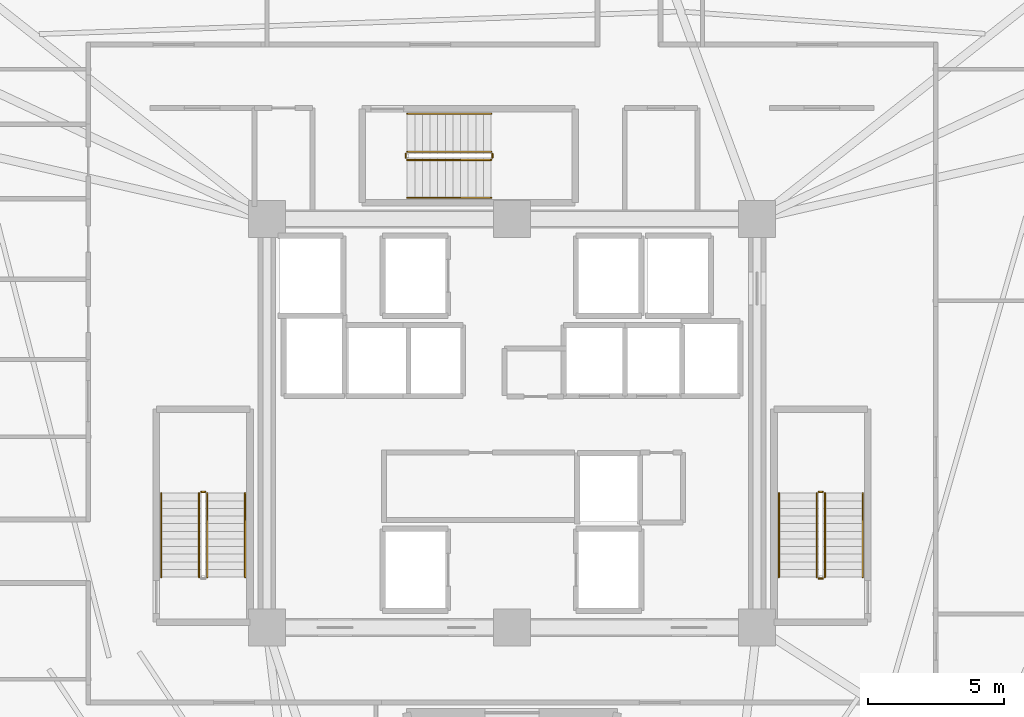
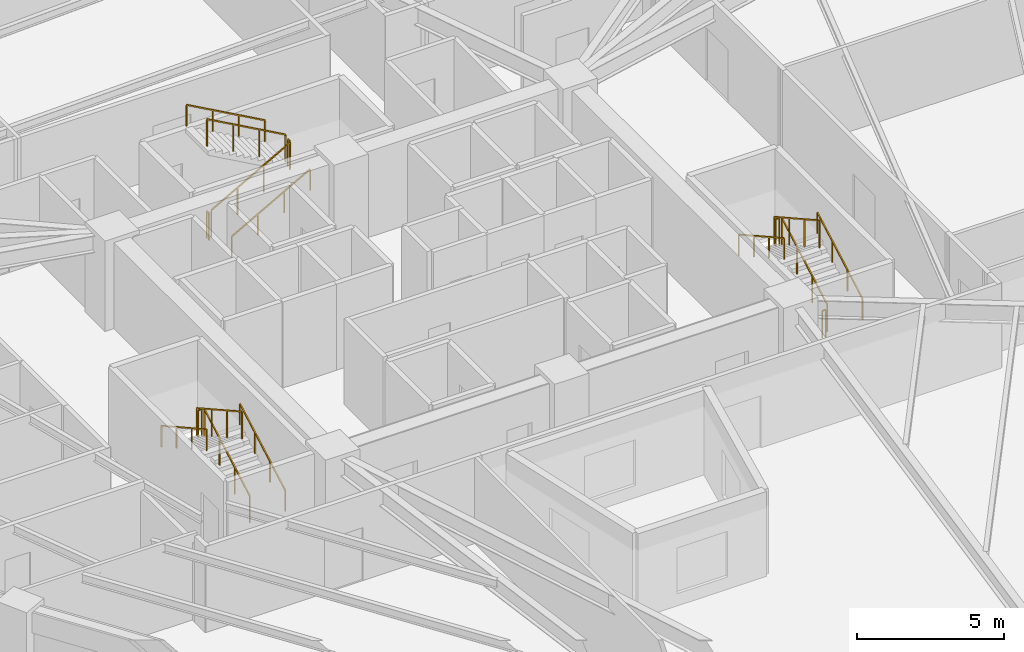
# One storey, part 10 of 10: 17 railings.
"""IFC4 building model written with IfcOpenShell, lengths in metres."""

from ifc_helpers import new_model, si_unit, direction, frame, origin, origin_2d, place, context, subcontext, project, spatial, rectangle, extrude, material, type_object, element, save


model = new_model("IFC4")

# Units and contexts
model_context = context("Model", 3, precision=1e-05, world=origin(), true_north=direction((0.0, 1.0)))
body_context = subcontext(model_context, "Body", "Model", "MODEL_VIEW")
ifc_project = project(units=[si_unit("LENGTHUNIT", "METRE"), si_unit("AREAUNIT", "SQUARE_METRE"), si_unit("VOLUMEUNIT", "CUBIC_METRE"), si_unit("PLANEANGLEUNIT", "RADIAN"), si_unit("MASSUNIT", "GRAM", prefix="KILO")], contexts=[model_context])

# Site, building, storey
site_placement = place(None, origin())
site = spatial("IfcSite", under=ifc_project, at=site_placement, CompositionType="ELEMENT")
building_placement = place(site_placement, origin())
building = spatial("IfcBuilding", under=site, at=building_placement, Name="Liaohun Quay Tower", CompositionType="ELEMENT")
storey_placement = place(building_placement, frame((0.0, 0.0, 194.25)))
storey = spatial("IfcBuildingStorey", under=building, at=storey_placement, Name="L50", CompositionType="ELEMENT", Elevation=194.25)

# Railings
ifc_material_1 = material(Name="Painted tubular steel", Category="steel")
railing_type_1 = type_object("IfcRailingType", Name="RLG-GUARD-STR", PredefinedType="GUARDRAIL", material=ifc_material_1)
railing_1_placement = place(storey_placement, frame((48.81005859375, 48.35009765625, 0.15625)))
element("IfcRailing", 1, at=railing_1_placement, inside=storey, type_object=railing_type_1, Name="L50 ST-1 stair guard 1", PredefinedType="GUARDRAIL", context=body_context, shape_type="SweptSolid", body=[
    extrude(rectangle(XDim=0.048095703125, YDim=0.048095703125, at=origin_2d()), frame((0.0, 0.0, 1.1259765625), z_axis=(0.0, 0.873225103656, 0.487317061414), x_axis=(-1.0, 0.0, 0.0)), (0.0, 0.0, 1.0), 3.52685546875),
    extrude(rectangle(XDim=0.0419921875, YDim=0.0419921875, at=origin_2d()), origin(), (0.0, 0.0, 1.0), 1.101806640625),
    extrude(rectangle(XDim=0.0419921875, YDim=0.0419921875, at=origin_2d()), frame((0.0, 1.026611328125, 0.572998046875)), (0.0, 0.0, 1.0), 1.101806640625),
    extrude(rectangle(XDim=0.0419921875, YDim=0.0419921875, at=origin_2d()), frame((0.0, 2.05322265625, 1.145751953125)), (0.0, 0.0, 1.0), 1.101806640625),
    extrude(rectangle(XDim=0.0419921875, YDim=0.0419921875, at=origin_2d()), frame((0.0, 3.079833984375, 1.71875)), (0.0, 0.0, 1.0), 1.101806640625),
])
railing_2_placement = place(storey_placement, frame((48.72998046875, 51.47998046875, 1.875)))
element("IfcRailing", 2, at=railing_2_placement, inside=storey, type_object=railing_type_1, Name="L50 ST-1 stair guard 2", PredefinedType="GUARDRAIL", context=body_context, shape_type="SweptSolid", body=[
    extrude(rectangle(XDim=0.048095703125, YDim=0.048095703125, at=origin_2d()), frame((0.0, 0.0, 1.1259765625), z_axis=(-1.0, 0.0, 0.0), x_axis=(0.0, -1.0, 0.0)), (0.0, 0.0, 1.0), 0.139892578125),
    extrude(rectangle(XDim=0.0419921875, YDim=0.0419921875, at=origin_2d()), origin(), (0.0, 0.0, 1.0), 1.101806640625),
    extrude(rectangle(XDim=0.0419921875, YDim=0.0419921875, at=origin_2d()), frame((-0.139892578125, 0.0, 0.0)), (0.0, 0.0, 1.0), 1.101806640625),
])
railing_3_placement = place(storey_placement, frame((48.510009765625, 51.429931640625, 2.03125)))
element("IfcRailing", 3, at=railing_3_placement, inside=storey, type_object=railing_type_1, Name="L50 ST-1 stair guard 3", PredefinedType="GUARDRAIL", context=body_context, shape_type="SweptSolid", body=[
    extrude(rectangle(XDim=0.048095703125, YDim=0.048095703125, at=origin_2d()), frame((0.0, 0.0, 1.1259765625), z_axis=(0.0, -0.873225103656, 0.487317061414), x_axis=(1.0, 0.0, 0.0)), (0.0, 0.0, 1.0), 3.52685546875),
    extrude(rectangle(XDim=0.0419921875, YDim=0.0419921875, at=origin_2d()), origin(), (0.0, 0.0, 1.0), 1.101806640625),
    extrude(rectangle(XDim=0.0419921875, YDim=0.0419921875, at=origin_2d()), frame((0.0, -1.026611328125, 0.572998046875)), (0.0, 0.0, 1.0), 1.101806640625),
    extrude(rectangle(XDim=0.0419921875, YDim=0.0419921875, at=origin_2d()), frame((0.0, -2.05322265625, 1.145751953125)), (0.0, 0.0, 1.0), 1.101806640625),
    extrude(rectangle(XDim=0.0419921875, YDim=0.0419921875, at=origin_2d()), frame((0.0, -3.079833984375, 1.71875)), (0.0, 0.0, 1.0), 1.101806640625),
])
railing_4_placement = place(storey_placement, frame((71.489990234375, 48.35009765625, 0.15625)))
element("IfcRailing", 4, at=railing_4_placement, inside=storey, type_object=railing_type_1, Name="L50 ST-2 stair guard 1", PredefinedType="GUARDRAIL", context=body_context, shape_type="SweptSolid", body=[
    extrude(rectangle(XDim=0.048095703125, YDim=0.048095703125, at=origin_2d()), frame((0.0, 0.0, 1.1259765625), z_axis=(0.0, 0.873225103656, 0.487317061414), x_axis=(-1.0, 0.0, 0.0)), (0.0, 0.0, 1.0), 3.52685546875),
    extrude(rectangle(XDim=0.0419921875, YDim=0.0419921875, at=origin_2d()), origin(), (0.0, 0.0, 1.0), 1.101806640625),
    extrude(rectangle(XDim=0.0419921875, YDim=0.0419921875, at=origin_2d()), frame((0.0, 1.026611328125, 0.572998046875)), (0.0, 0.0, 1.0), 1.101806640625),
    extrude(rectangle(XDim=0.0419921875, YDim=0.0419921875, at=origin_2d()), frame((0.0, 2.05322265625, 1.145751953125)), (0.0, 0.0, 1.0), 1.101806640625),
    extrude(rectangle(XDim=0.0419921875, YDim=0.0419921875, at=origin_2d()), frame((0.0, 3.079833984375, 1.71875)), (0.0, 0.0, 1.0), 1.101806640625),
])
railing_5_placement = place(storey_placement, frame((71.409912109375, 51.47998046875, 1.875)))
element("IfcRailing", 5, at=railing_5_placement, inside=storey, type_object=railing_type_1, Name="L50 ST-2 stair guard 2", PredefinedType="GUARDRAIL", context=body_context, shape_type="SweptSolid", body=[
    extrude(rectangle(XDim=0.048095703125, YDim=0.048095703125, at=origin_2d()), frame((0.0, 0.0, 1.1259765625), z_axis=(-1.0, 0.0, 0.0), x_axis=(0.0, -1.0, 0.0)), (0.0, 0.0, 1.0), 0.139892578125),
    extrude(rectangle(XDim=0.0419921875, YDim=0.0419921875, at=origin_2d()), origin(), (0.0, 0.0, 1.0), 1.101806640625),
    extrude(rectangle(XDim=0.0419921875, YDim=0.0419921875, at=origin_2d()), frame((-0.139892578125, 0.0, 0.0)), (0.0, 0.0, 1.0), 1.101806640625),
])
railing_6_placement = place(storey_placement, frame((71.18994140625, 51.429931640625, 2.03125)))
element("IfcRailing", 6, at=railing_6_placement, inside=storey, type_object=railing_type_1, Name="L50 ST-2 stair guard 3", PredefinedType="GUARDRAIL", context=body_context, shape_type="SweptSolid", body=[
    extrude(rectangle(XDim=0.048095703125, YDim=0.048095703125, at=origin_2d()), frame((0.0, 0.0, 1.1259765625), z_axis=(0.0, -0.873225103656, 0.487317061414), x_axis=(1.0, 0.0, 0.0)), (0.0, 0.0, 1.0), 3.52685546875),
    extrude(rectangle(XDim=0.0419921875, YDim=0.0419921875, at=origin_2d()), origin(), (0.0, 0.0, 1.0), 1.101806640625),
    extrude(rectangle(XDim=0.0419921875, YDim=0.0419921875, at=origin_2d()), frame((0.0, -1.026611328125, 0.572998046875)), (0.0, 0.0, 1.0), 1.101806640625),
    extrude(rectangle(XDim=0.0419921875, YDim=0.0419921875, at=origin_2d()), frame((0.0, -2.05322265625, 1.145751953125)), (0.0, 0.0, 1.0), 1.101806640625),
    extrude(rectangle(XDim=0.0419921875, YDim=0.0419921875, at=origin_2d()), frame((0.0, -3.079833984375, 1.71875)), (0.0, 0.0, 1.0), 1.101806640625),
])
railing_7_placement = place(storey_placement, frame((71.409912109375, 48.300048828125, 0.0)))
element("IfcRailing", 7, at=railing_7_placement, inside=storey, type_object=railing_type_1, Name="L50 ST-2 stair guard 4", PredefinedType="GUARDRAIL", context=body_context, shape_type="SweptSolid", body=[
    extrude(rectangle(XDim=0.048095703125, YDim=0.048095703125, at=origin_2d()), frame((0.0, 0.0, 1.1259765625), z_axis=(-1.0, 0.0, 0.0), x_axis=(0.0, -1.0, 0.0)), (0.0, 0.0, 1.0), 0.139892578125),
    extrude(rectangle(XDim=0.0419921875, YDim=0.0419921875, at=origin_2d()), origin(), (0.0, 0.0, 1.0), 1.101806640625),
    extrude(rectangle(XDim=0.0419921875, YDim=0.0419921875, at=origin_2d()), frame((-0.139892578125, 0.0, 0.0)), (0.0, 0.0, 1.0), 1.101806640625),
])
railing_8_placement = place(storey_placement, frame((56.14990234375, 63.669921875, 0.15625)))
element("IfcRailing", 8, at=railing_8_placement, inside=storey, type_object=railing_type_1, Name="L50 ST-3 stair guard 1", PredefinedType="GUARDRAIL", context=body_context, shape_type="SweptSolid", body=[
    extrude(rectangle(XDim=0.048095703125, YDim=0.048095703125, at=origin_2d()), frame((0.0, 0.0, 1.1259765625), z_axis=(0.873241540666, 0.0, 0.487287606713), x_axis=(0.0, 1.0, 0.0)), (0.0, 0.0, 1.0), 3.527099609375),
    extrude(rectangle(XDim=0.0419921875, YDim=0.0419921875, at=origin_2d()), origin(), (0.0, 0.0, 1.0), 1.101806640625),
    extrude(rectangle(XDim=0.0419921875, YDim=0.0419921875, at=origin_2d()), frame((1.026611328125, 0.0, 0.572998046875)), (0.0, 0.0, 1.0), 1.101806640625),
    extrude(rectangle(XDim=0.0419921875, YDim=0.0419921875, at=origin_2d()), frame((2.053466796875, 0.0, 1.145751953125)), (0.0, 0.0, 1.0), 1.101806640625),
    extrude(rectangle(XDim=0.0419921875, YDim=0.0419921875, at=origin_2d()), frame((3.080078125, 0.0, 1.71875)), (0.0, 0.0, 1.0), 1.101806640625),
])
railing_9_placement = place(storey_placement, frame((59.280029296875, 63.75, 1.875)))
element("IfcRailing", 9, at=railing_9_placement, inside=storey, type_object=railing_type_1, Name="L50 ST-3 stair guard 2", PredefinedType="GUARDRAIL", context=body_context, shape_type="SweptSolid", body=[
    extrude(rectangle(XDim=0.048095703125, YDim=0.048095703125, at=origin_2d()), frame((0.0, 0.0, 1.1259765625), z_axis=(0.0, 1.0, 0.0), x_axis=(-1.0, 0.0, 0.0)), (0.0, 0.0, 1.0), 0.139892578125),
    extrude(rectangle(XDim=0.0419921875, YDim=0.0419921875, at=origin_2d()), origin(), (0.0, 0.0, 1.0), 1.101806640625),
    extrude(rectangle(XDim=0.0419921875, YDim=0.0419921875, at=origin_2d()), frame((0.0, 0.139892578125, 0.0)), (0.0, 0.0, 1.0), 1.101806640625),
])
railing_10_placement = place(storey_placement, frame((59.22998046875, 63.969970703125, 2.03125)))
element("IfcRailing", 10, at=railing_10_placement, inside=storey, type_object=railing_type_1, Name="L50 ST-3 stair guard 3", PredefinedType="GUARDRAIL", context=body_context, shape_type="SweptSolid", body=[
    extrude(rectangle(XDim=0.048095703125, YDim=0.048095703125, at=origin_2d()), frame((0.0, 0.0, 1.1259765625), z_axis=(-0.873241540666, 0.0, 0.487287606713), x_axis=(0.0, -1.0, 0.0)), (0.0, 0.0, 1.0), 3.527099609375),
    extrude(rectangle(XDim=0.0419921875, YDim=0.0419921875, at=origin_2d()), origin(), (0.0, 0.0, 1.0), 1.101806640625),
    extrude(rectangle(XDim=0.0419921875, YDim=0.0419921875, at=origin_2d()), frame((-1.026611328125, 0.0, 0.572998046875)), (0.0, 0.0, 1.0), 1.101806640625),
    extrude(rectangle(XDim=0.0419921875, YDim=0.0419921875, at=origin_2d()), frame((-2.053466796875, 0.0, 1.145751953125)), (0.0, 0.0, 1.0), 1.101806640625),
    extrude(rectangle(XDim=0.0419921875, YDim=0.0419921875, at=origin_2d()), frame((-3.080078125, 0.0, 1.71875)), (0.0, 0.0, 1.0), 1.101806640625),
])
railing_11_placement = place(storey_placement, frame((56.10009765625, 63.75, 0.0)))
element("IfcRailing", 11, at=railing_11_placement, inside=storey, type_object=railing_type_1, Name="L50 ST-3 stair guard 4", PredefinedType="GUARDRAIL", context=body_context, shape_type="SweptSolid", body=[
    extrude(rectangle(XDim=0.048095703125, YDim=0.048095703125, at=origin_2d()), frame((0.0, 0.0, 1.1259765625), z_axis=(0.0, 1.0, 0.0), x_axis=(-1.0, 0.0, 0.0)), (0.0, 0.0, 1.0), 0.139892578125),
    extrude(rectangle(XDim=0.0419921875, YDim=0.0419921875, at=origin_2d()), origin(), (0.0, 0.0, 1.0), 1.101806640625),
    extrude(rectangle(XDim=0.0419921875, YDim=0.0419921875, at=origin_2d()), frame((0.0, 0.139892578125, 0.0)), (0.0, 0.0, 1.0), 1.101806640625),
])
ifc_material_2 = material(Name="Brushed stainless steel", Category="steel")
railing_type_2 = type_object("IfcRailingType", Name="RLG-HND-STR", PredefinedType="HANDRAIL", material=ifc_material_2)
railing_12_placement = place(storey_placement, frame((50.199951171875, 48.35009765625, 0.15625)))
element("IfcRailing", 12, at=railing_12_placement, inside=storey, type_object=railing_type_2, Name="L50 ST-1 stair handrail 1", PredefinedType="HANDRAIL", context=body_context, shape_type="SweptSolid", body=[
    extrude(rectangle(XDim=0.048095703125, YDim=0.048095703125, at=origin_2d()), frame((0.0, 0.0, 0.8759765625), z_axis=(0.0, 0.873225103656, 0.487317061414), x_axis=(-1.0, 0.0, 0.0)), (0.0, 0.0, 1.0), 3.52685546875),
    extrude(rectangle(XDim=0.0419921875, YDim=0.0419921875, at=origin_2d()), origin(), (0.0, 0.0, 1.0), 0.851806640625),
    extrude(rectangle(XDim=0.0419921875, YDim=0.0419921875, at=origin_2d()), frame((0.0, 1.026611328125, 0.572998046875)), (0.0, 0.0, 1.0), 0.851806640625),
    extrude(rectangle(XDim=0.0419921875, YDim=0.0419921875, at=origin_2d()), frame((0.0, 2.05322265625, 1.145751953125)), (0.0, 0.0, 1.0), 0.851806640625),
    extrude(rectangle(XDim=0.0419921875, YDim=0.0419921875, at=origin_2d()), frame((0.0, 3.079833984375, 1.71875)), (0.0, 0.0, 1.0), 0.851806640625),
])
railing_13_placement = place(storey_placement, frame((47.1201171875, 51.429931640625, 2.03125)))
element("IfcRailing", 13, at=railing_13_placement, inside=storey, type_object=railing_type_2, Name="L50 ST-1 stair handrail 2", PredefinedType="HANDRAIL", context=body_context, shape_type="SweptSolid", body=[
    extrude(rectangle(XDim=0.048095703125, YDim=0.048095703125, at=origin_2d()), frame((0.0, 0.0, 0.8759765625), z_axis=(0.0, -0.873225103656, 0.487317061414), x_axis=(1.0, 0.0, 0.0)), (0.0, 0.0, 1.0), 3.52685546875),
    extrude(rectangle(XDim=0.0419921875, YDim=0.0419921875, at=origin_2d()), origin(), (0.0, 0.0, 1.0), 0.851806640625),
    extrude(rectangle(XDim=0.0419921875, YDim=0.0419921875, at=origin_2d()), frame((0.0, -1.026611328125, 0.572998046875)), (0.0, 0.0, 1.0), 0.851806640625),
    extrude(rectangle(XDim=0.0419921875, YDim=0.0419921875, at=origin_2d()), frame((0.0, -2.05322265625, 1.145751953125)), (0.0, 0.0, 1.0), 0.851806640625),
    extrude(rectangle(XDim=0.0419921875, YDim=0.0419921875, at=origin_2d()), frame((0.0, -3.079833984375, 1.71875)), (0.0, 0.0, 1.0), 0.851806640625),
])
railing_14_placement = place(storey_placement, frame((72.8798828125, 48.35009765625, 0.15625)))
element("IfcRailing", 14, at=railing_14_placement, inside=storey, type_object=railing_type_2, Name="L50 ST-2 stair handrail 1", PredefinedType="HANDRAIL", context=body_context, shape_type="SweptSolid", body=[
    extrude(rectangle(XDim=0.048095703125, YDim=0.048095703125, at=origin_2d()), frame((0.0, 0.0, 0.8759765625), z_axis=(0.0, 0.873225103656, 0.487317061414), x_axis=(-1.0, 0.0, 0.0)), (0.0, 0.0, 1.0), 3.52685546875),
    extrude(rectangle(XDim=0.0419921875, YDim=0.0419921875, at=origin_2d()), origin(), (0.0, 0.0, 1.0), 0.851806640625),
    extrude(rectangle(XDim=0.0419921875, YDim=0.0419921875, at=origin_2d()), frame((0.0, 1.026611328125, 0.572998046875)), (0.0, 0.0, 1.0), 0.851806640625),
    extrude(rectangle(XDim=0.0419921875, YDim=0.0419921875, at=origin_2d()), frame((0.0, 2.05322265625, 1.145751953125)), (0.0, 0.0, 1.0), 0.851806640625),
    extrude(rectangle(XDim=0.0419921875, YDim=0.0419921875, at=origin_2d()), frame((0.0, 3.079833984375, 1.71875)), (0.0, 0.0, 1.0), 0.851806640625),
])
railing_15_placement = place(storey_placement, frame((69.800048828125, 51.429931640625, 2.03125)))
element("IfcRailing", 15, at=railing_15_placement, inside=storey, type_object=railing_type_2, Name="L50 ST-2 stair handrail 2", PredefinedType="HANDRAIL", context=body_context, shape_type="SweptSolid", body=[
    extrude(rectangle(XDim=0.048095703125, YDim=0.048095703125, at=origin_2d()), frame((0.0, 0.0, 0.8759765625), z_axis=(0.0, -0.873225103656, 0.487317061414), x_axis=(1.0, 0.0, 0.0)), (0.0, 0.0, 1.0), 3.52685546875),
    extrude(rectangle(XDim=0.0419921875, YDim=0.0419921875, at=origin_2d()), origin(), (0.0, 0.0, 1.0), 0.851806640625),
    extrude(rectangle(XDim=0.0419921875, YDim=0.0419921875, at=origin_2d()), frame((0.0, -1.026611328125, 0.572998046875)), (0.0, 0.0, 1.0), 0.851806640625),
    extrude(rectangle(XDim=0.0419921875, YDim=0.0419921875, at=origin_2d()), frame((0.0, -2.05322265625, 1.145751953125)), (0.0, 0.0, 1.0), 0.851806640625),
    extrude(rectangle(XDim=0.0419921875, YDim=0.0419921875, at=origin_2d()), frame((0.0, -3.079833984375, 1.71875)), (0.0, 0.0, 1.0), 0.851806640625),
])
railing_16_placement = place(storey_placement, frame((56.14990234375, 62.280029296875, 0.15625)))
element("IfcRailing", 16, at=railing_16_placement, inside=storey, type_object=railing_type_2, Name="L50 ST-3 stair handrail 1", PredefinedType="HANDRAIL", context=body_context, shape_type="SweptSolid", body=[
    extrude(rectangle(XDim=0.048095703125, YDim=0.048095703125, at=origin_2d()), frame((0.0, 0.0, 0.8759765625), z_axis=(0.873241540666, 0.0, 0.487287606713), x_axis=(0.0, 1.0, 0.0)), (0.0, 0.0, 1.0), 3.527099609375),
    extrude(rectangle(XDim=0.0419921875, YDim=0.0419921875, at=origin_2d()), origin(), (0.0, 0.0, 1.0), 0.851806640625),
    extrude(rectangle(XDim=0.0419921875, YDim=0.0419921875, at=origin_2d()), frame((1.026611328125, 0.0, 0.572998046875)), (0.0, 0.0, 1.0), 0.851806640625),
    extrude(rectangle(XDim=0.0419921875, YDim=0.0419921875, at=origin_2d()), frame((2.053466796875, 0.0, 1.145751953125)), (0.0, 0.0, 1.0), 0.851806640625),
    extrude(rectangle(XDim=0.0419921875, YDim=0.0419921875, at=origin_2d()), frame((3.080078125, 0.0, 1.71875)), (0.0, 0.0, 1.0), 0.851806640625),
])
railing_17_placement = place(storey_placement, frame((59.22998046875, 65.360107421875, 2.03125)))
element("IfcRailing", 17, at=railing_17_placement, inside=storey, type_object=railing_type_2, Name="L50 ST-3 stair handrail 2", PredefinedType="HANDRAIL", context=body_context, shape_type="SweptSolid", body=[
    extrude(rectangle(XDim=0.048095703125, YDim=0.048095703125, at=origin_2d()), frame((0.0, 0.0, 0.8759765625), z_axis=(-0.873241540666, 0.0, 0.487287606713), x_axis=(0.0, -1.0, 0.0)), (0.0, 0.0, 1.0), 3.527099609375),
    extrude(rectangle(XDim=0.0419921875, YDim=0.0419921875, at=origin_2d()), origin(), (0.0, 0.0, 1.0), 0.851806640625),
    extrude(rectangle(XDim=0.0419921875, YDim=0.0419921875, at=origin_2d()), frame((-1.026611328125, 0.0, 0.572998046875)), (0.0, 0.0, 1.0), 0.851806640625),
    extrude(rectangle(XDim=0.0419921875, YDim=0.0419921875, at=origin_2d()), frame((-2.053466796875, 0.0, 1.145751953125)), (0.0, 0.0, 1.0), 0.851806640625),
    extrude(rectangle(XDim=0.0419921875, YDim=0.0419921875, at=origin_2d()), frame((-3.080078125, 0.0, 1.71875)), (0.0, 0.0, 1.0), 0.851806640625),
])

save(model, "model.ifc")
